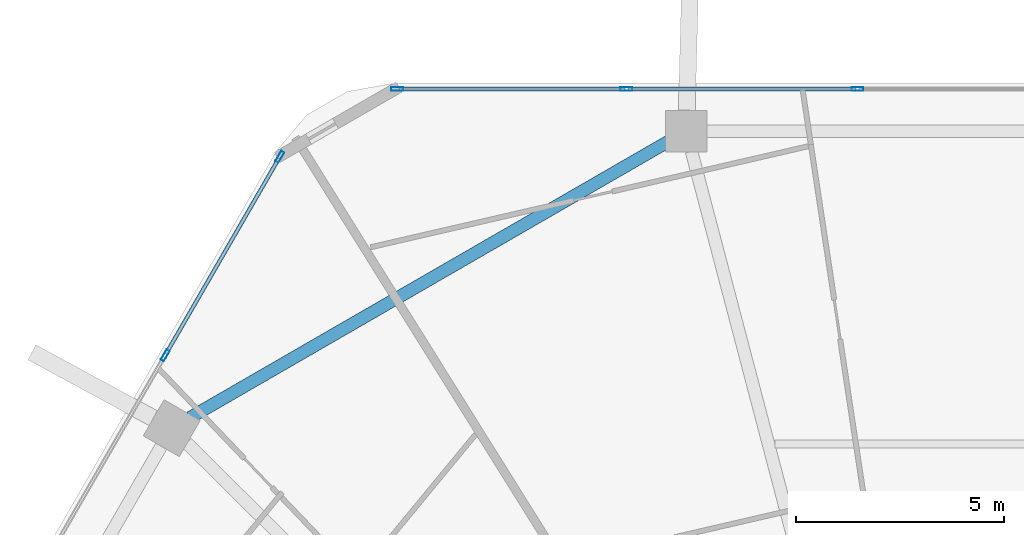
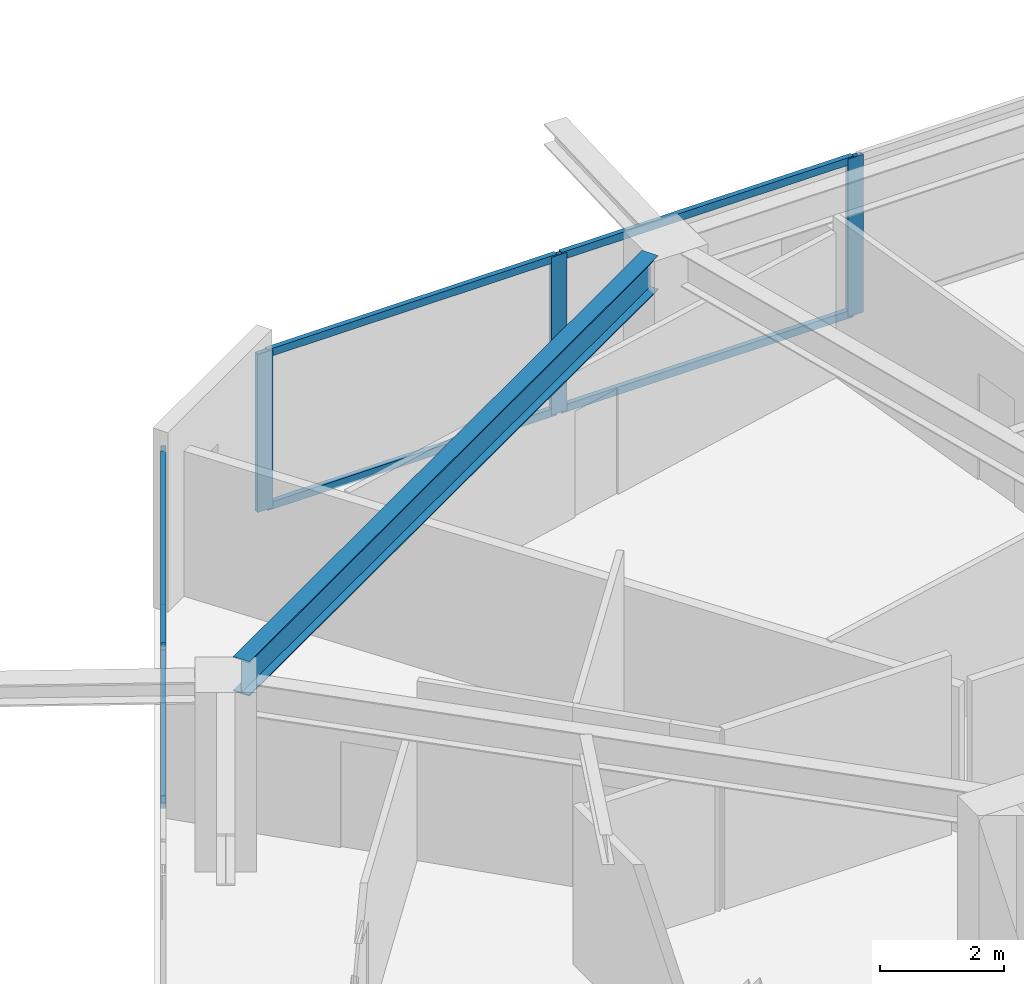
# One storey, part 12 of 25: 11 members, 1 beam, 2 elements without a shape of their own.
"""IFC4 building model written with IfcOpenShell, lengths in metres."""

import ifcopenshell
import ifcopenshell.guid

model = None  # the IFC model being written
_history = None  # IfcOwnerHistory: only IFC2X3 demands one
_inside = {}  # id of a spatial element -> (the spatial element, [elements in it])
_under = {}  # id of a project, library or spatial element -> (it, [spatial elements below it])
_declared = {}  # id of a project -> (the project, [libraries it declares])
_typed = {}  # id of a type object -> (the type object, [elements of that type])
_made_of = {}  # id of a material, layer set ... -> (it, [elements and type objects made of it])


def new_model(schema):
    """Start an empty IFC model of exactly this schema.

    Asked for "IFC4X3", IfcOpenShell would pick the latest addendum, in which some entities
    have other attributes; the version numbers below select the first issue.
    IFC2X3 requires an IfcOwnerHistory on every rooted entity: one is made here for all.
    """
    global model, _history
    if schema == "IFC4X3":
        model = ifcopenshell.file(schema_version=(4, 3, 0, 0))
    else:
        model = ifcopenshell.file(schema=schema)
    _inside.clear()
    _under.clear()
    _declared.clear()
    _typed.clear()
    _made_of.clear()
    _history = None
    if model.schema == "IFC2X3":
        org = make("IfcOrganization", Name="unknown")
        user = make(
            "IfcPersonAndOrganization",
            ThePerson=make("IfcPerson", FamilyName="unknown"),
            TheOrganization=org,
        )
        app = make(
            "IfcApplication",
            ApplicationDeveloper=org,
            Version="unknown",
            ApplicationFullName="unknown",
            ApplicationIdentifier="unknown",
        )
        _history = make(
            "IfcOwnerHistory",
            OwningUser=user,
            OwningApplication=app,
            ChangeAction="ADDED",
            CreationDate=0,
        )
    return model


def make(cls, **values):
    """One entity of the class cls with the attributes given. An attribute that is None is left unset."""
    return model.create_entity(
        cls, **{name: value for name, value in values.items() if value is not None}
    )


def rooted(cls, **values):
    """An entity with a GlobalId (a new one), such as an element, a storey or a relation."""
    return make(cls, GlobalId=ifcopenshell.guid.new(), OwnerHistory=_history, **values)


def si_unit(unit_type, name, prefix=None):
    """IfcSIUnit, for example si_unit("LENGTHUNIT", "METRE", prefix="MILLI")."""
    return make("IfcSIUnit", UnitType=unit_type, Prefix=prefix, Name=name)


def assignment(units):
    """IfcUnitAssignment: the units of a project."""
    return None if units is None else make("IfcUnitAssignment", Units=units)


def point(xyz):
    """IfcCartesianPoint."""
    return None if xyz is None else make("IfcCartesianPoint", Coordinates=xyz)


def direction(xyz):
    """IfcDirection."""
    return None if xyz is None else make("IfcDirection", DirectionRatios=xyz)


def frame(location, z_axis=None, x_axis=None):
    """IfcAxis2Placement3D, a coordinate frame: its origin and axes. An axis left out is left unset."""
    return make(
        "IfcAxis2Placement3D",
        Location=point(location),
        Axis=direction(z_axis),
        RefDirection=direction(x_axis),
    )


def frame_2d(location, x_axis=None):
    """IfcAxis2Placement2D, a coordinate frame in the plane: its origin and x axis."""
    return make(
        "IfcAxis2Placement2D", Location=point(location), RefDirection=direction(x_axis)
    )


def origin():
    """The frame at (0, 0, 0) with its axes left unset."""
    return frame((0.0, 0.0, 0.0))


def origin_2d():
    """The frame at (0, 0) in the plane with its x axis left unset."""
    return frame_2d((0.0, 0.0))


def place(relative_to, where):
    """IfcLocalPlacement: puts the frame where relative to a parent placement (None: the world)."""
    return make(
        "IfcLocalPlacement", PlacementRelTo=relative_to, RelativePlacement=where
    )


def context(
    kind, dimensions, precision=None, world=None, true_north=None, identifier=None
):
    """IfcGeometricRepresentationContext, for example the 3D "Model" context."""
    return make(
        "IfcGeometricRepresentationContext",
        ContextIdentifier=identifier,
        ContextType=kind,
        CoordinateSpaceDimension=dimensions,
        Precision=precision,
        WorldCoordinateSystem=world,
        TrueNorth=true_north,
    )


def subcontext(parent, identifier, kind, view, scale=None):
    """IfcGeometricRepresentationSubContext, for example "Body" below "Model"."""
    return make(
        "IfcGeometricRepresentationSubContext",
        ContextIdentifier=identifier,
        ContextType=kind,
        ParentContext=parent,
        TargetScale=scale,
        TargetView=view,
    )


def project(units=None, contexts=None):
    """IfcProject with its units and contexts."""
    return rooted(
        "IfcProject",
        Name="project",
        RepresentationContexts=contexts,
        UnitsInContext=assignment(units),
    )


def spatial(cls, under=None, at=None, **own):
    """A site, building, storey or space (cls), placed at a placement, below another one or the project."""
    s = rooted(cls, ObjectPlacement=at, **own)
    if under is not None:
        _under.setdefault(under.id(), (under, []))[1].append(s)
    return s


def profile(cls, at=None, kind="AREA", **sizes):
    """A parametric profile (cls). Its sizes go by their IFC names, for example OverallWidth=200.0."""
    return make(cls, ProfileType=kind, Position=at, **sizes)


def hollow_rectangle(**sizes):
    """IfcRectangleHollowProfileDef."""
    return profile("IfcRectangleHollowProfileDef", **sizes)


def i_section(**sizes):
    """IfcIShapeProfileDef."""
    return profile("IfcIShapeProfileDef", **sizes)


def extrude(swept, where, along, depth):
    """IfcExtrudedAreaSolid: the profile swept, set in the frame where, extruded along a direction by depth."""
    return make(
        "IfcExtrudedAreaSolid",
        SweptArea=swept,
        Position=where,
        ExtrudedDirection=direction(along),
        Depth=depth,
    )


def shape(context_of_items, identifier, shape_type, items):
    """IfcShapeRepresentation: the items that make up one representation, for example the "Body"."""
    return make(
        "IfcShapeRepresentation",
        ContextOfItems=context_of_items,
        RepresentationIdentifier=identifier,
        RepresentationType=shape_type,
        Items=items,
    )


def material(Name=None, Category=None):
    """IfcMaterial."""
    return make("IfcMaterial", Name=Name, Category=Category)


def material_profile(
    of_material, cross_section, Name=None, Category=None, Priority=None
):
    """IfcMaterialProfile: a cross section and its material."""
    return make(
        "IfcMaterialProfile",
        Name=Name,
        Material=of_material,
        Profile=cross_section,
        Priority=Priority,
        Category=Category,
    )


def profile_set(profiles, Name=None, composite=None):
    """IfcMaterialProfileSet."""
    return make(
        "IfcMaterialProfileSet",
        Name=Name,
        MaterialProfiles=profiles,
        CompositeProfile=composite,
    )


def made_of(thing, what):
    """Note that an element or type object is made of a material, layer set ...; save() writes the relation."""
    if what is not None:
        _made_of.setdefault(what.id(), (what, []))[1].append(thing)
    return thing


def type_object(cls, material=None, **own):
    """A type object (cls), such as IfcWallType, which elements share."""
    return made_of(rooted(cls, **own), material)


def element(
    cls,
    number,
    at=None,
    inside=None,
    cuts=None,
    type_object=None,
    material=None,
    context=None,
    identifier="Body",
    shape_type=None,
    held_by="IfcProductDefinitionShape",
    body=None,
    shapes=None,
    **own,
):
    """One element of the class cls, such as IfcWall. Its Tag is "e" and its number.

    at: its placement. inside: the storey or other place that contains it. cuts: it is an
    opening in that element (IfcRelVoidsElement). A single representation is given by context,
    identifier, shape_type and body (its items); several are given by shapes. held_by: the class
    of the entity that holds the representations. save() writes the other relations.
    """
    e = rooted(cls, Tag="e%d" % number, ObjectPlacement=at, **own)
    if body is not None:
        shapes = [shape(context, identifier, shape_type, body)]
    if shapes is not None:
        e.Representation = make(held_by, Representations=shapes)
    if inside is not None:
        _inside.setdefault(inside.id(), (inside, []))[1].append(e)
    if cuts is not None:
        rooted(
            "IfcRelVoidsElement", RelatingBuildingElement=cuts, RelatedOpeningElement=e
        )
    if type_object is not None:
        _typed.setdefault(type_object.id(), (type_object, []))[1].append(e)
    return made_of(e, material)


def aggregate(whole, parts):
    """IfcRelAggregates: a whole, such as a stair, and the parts it consists of."""
    return rooted("IfcRelAggregates", RelatingObject=whole, RelatedObjects=parts)


def save(model, path):
    """Write the relations noted so far, then the file.

    IfcRelAggregates (storeys below a building ...), IfcRelContainedInSpatialStructure (elements
    in a storey), IfcRelDefinesByType, IfcRelAssociatesMaterial and IfcRelDeclares: one each for
    every whole, place, type object, material and project.
    """
    for whole, parts in _under.values():
        aggregate(whole, parts)
    for where, things in _inside.values():
        rooted(
            "IfcRelContainedInSpatialStructure",
            RelatedElements=things,
            RelatingStructure=where,
        )
    for kind, things in _typed.values():
        rooted("IfcRelDefinesByType", RelatedObjects=things, RelatingType=kind)
    for what, things in _made_of.values():
        rooted("IfcRelAssociatesMaterial", RelatedObjects=things, RelatingMaterial=what)
    for by, libraries in _declared.values():
        rooted("IfcRelDeclares", RelatingContext=by, RelatedDefinitions=libraries)
    model.write(path)


model = new_model("IFC4")

# Units and contexts
model_context = context("Model", 3, precision=1e-05, world=origin(), true_north=direction((0.0, 1.0)))
body_context = subcontext(model_context, "Body", "Model", "MODEL_VIEW")
ifc_project = project(units=[si_unit("LENGTHUNIT", "METRE"), si_unit("AREAUNIT", "SQUARE_METRE"), si_unit("VOLUMEUNIT", "CUBIC_METRE"), si_unit("PLANEANGLEUNIT", "RADIAN"), si_unit("MASSUNIT", "GRAM", prefix="KILO")], contexts=[model_context])

# Site, building, storey
site_placement = place(None, origin())
site = spatial("IfcSite", under=ifc_project, at=site_placement, CompositionType="ELEMENT")
building_placement = place(site_placement, origin())
building = spatial("IfcBuilding", under=site, at=building_placement, Name="Zuhravey Tower", CompositionType="ELEMENT")
storey_placement = place(building_placement, frame((0.0, 0.0, 180.800048828125)))
storey = spatial("IfcBuildingStorey", under=building, at=storey_placement, Name="L45", CompositionType="ELEMENT", Elevation=180.800048828125)

# Curtain wall, members
ifc_material_1 = material(Name="Thermally broken anodised aluminium", Category="aluminium")
curtain_wall_type = type_object("IfcCurtainWallType", Name="Zone 1-2 Residential Curtain Wall CW3", PredefinedType="NOTDEFINED", material=ifc_material_1)
curtain_wall_1_placement = place(storey_placement, origin())
curtain_wall_1 = element("IfcCurtainWall", 1, at=curtain_wall_1_placement, inside=storey, type_object=curtain_wall_type, Name="L45 CW3 CW-L45-F3-1", PredefinedType="NOTDEFINED")
ifc_material_2 = material(Name="Anodised aluminium", Category="aluminium")
ifc_material_profile_1 = material_profile(ifc_material_2, hollow_rectangle(XDim=0.090087890625, YDim=0.284912109375, WallThickness=0.0048828125, at=origin_2d()), Name="ALU-RHS-90x285x5")
ifc_profile_set_1 = profile_set([ifc_material_profile_1], Name="Anodised aluminium")
member_type_1 = type_object("IfcMemberType", Name="Curtain-Wall Mullion 90x180", PredefinedType="MULLION", material=ifc_profile_set_1)
member_1_placement = place(storey_placement, frame((16.6171875, 52.7939453125, 0.0), z_axis=(0.0, 0.0, 1.0), x_axis=(-0.866025138215, 0.500000459979, 0.0)))
member_1 = element("IfcMember", 2, at=member_1_placement, type_object=member_type_1, Name="CW3 mullion 5", PredefinedType="MULLION", context=body_context, shape_type="SweptSolid", body=[
    extrude(hollow_rectangle(XDim=0.090087890625, YDim=0.284912109375, WallThickness=0.0048828125, at=origin_2d()), origin(), (0.0, 0.0, 1.0), 3.1220703125),
])
member_2_placement = place(storey_placement, frame((19.36669921875, 57.556640625, 0.0), z_axis=(0.0, 0.0, 1.0), x_axis=(-0.866025138215, 0.500000459979, 0.0)))
member_2 = element("IfcMember", 3, at=member_2_placement, type_object=member_type_1, Name="CW3 mullion 6", PredefinedType="MULLION", context=body_context, shape_type="SweptSolid", body=[
    extrude(hollow_rectangle(XDim=0.090087890625, YDim=0.284912109375, WallThickness=0.0048828125, at=origin_2d()), origin(), (0.0, 0.0, 1.0), 3.1220703125),
])

curtain_wall_2_placement = place(storey_placement, origin())
curtain_wall_2 = element("IfcCurtainWall", 4, at=curtain_wall_2_placement, inside=storey, type_object=curtain_wall_type, Name="L45 CW3 CW-L45-F2-1", PredefinedType="NOTDEFINED")
member_3_placement = place(storey_placement, frame((22.183837890625, 59.18310546875, 0.0), z_axis=(0.0, 0.0, 1.0), x_axis=(0.0, 1.0, 0.0)))
member_3 = element("IfcMember", 5, at=member_3_placement, type_object=member_type_1, Name="CW3 mullion 1", PredefinedType="MULLION", context=body_context, shape_type="SweptSolid", body=[
    extrude(hollow_rectangle(XDim=0.090087890625, YDim=0.284912109375, WallThickness=0.0048828125, at=origin_2d()), origin(), (0.0, 0.0, 1.0), 3.1220703125),
])
member_4_placement = place(storey_placement, frame((27.683349609375, 59.18310546875, 0.0), z_axis=(0.0, 0.0, 1.0), x_axis=(0.0, 1.0, 0.0)))
member_4 = element("IfcMember", 6, at=member_4_placement, type_object=member_type_1, Name="CW3 mullion 2", PredefinedType="MULLION", context=body_context, shape_type="SweptSolid", body=[
    extrude(hollow_rectangle(XDim=0.090087890625, YDim=0.284912109375, WallThickness=0.0048828125, at=origin_2d()), origin(), (0.0, 0.0, 1.0), 3.1220703125),
])
member_5_placement = place(storey_placement, frame((33.227783203125, 59.18310546875, 0.0), z_axis=(0.0, 0.0, 1.0), x_axis=(0.0, 1.0, 0.0)))
member_5 = element("IfcMember", 7, at=member_5_placement, type_object=member_type_1, Name="CW3 mullion 3", PredefinedType="MULLION", context=body_context, shape_type="SweptSolid", body=[
    extrude(hollow_rectangle(XDim=0.090087890625, YDim=0.284912109375, WallThickness=0.0048828125, at=origin_2d()), origin(), (0.0, 0.0, 1.0), 3.1220703125),
])

# Member
ifc_material_profile_2 = material_profile(ifc_material_2, hollow_rectangle(XDim=0.090087890625, YDim=0.14990234375, WallThickness=0.0048828125, at=origin_2d()), Name="ALU-RHS-90x150x5")
ifc_profile_set_2 = profile_set([ifc_material_profile_2], Name="Anodised aluminium")
member_type_2 = type_object("IfcMemberType", Name="Curtain-Wall Transom 90x150", PredefinedType="USERDEFINED", material=ifc_profile_set_2)
member_6_placement = place(storey_placement, frame((16.6396484375, 52.8330078125, 0.044921875), z_axis=(0.499993332629, 0.866029253159, 0.0), x_axis=(-0.866029253159, 0.499993332629, 0.0)))
member_6 = element("IfcMember", 8, at=member_6_placement, type_object=member_type_2, Name="CW3 transom 5.1", ObjectType="TRANSOM", PredefinedType="USERDEFINED", context=body_context, shape_type="SweptSolid", body=[
    extrude(hollow_rectangle(XDim=0.090087890625, YDim=0.14990234375, WallThickness=0.0048828125, at=origin_2d()), origin(), (0.0, 0.0, 1.0), 5.4091796875),
])

member_7_placement = place(storey_placement, frame((16.6396484375, 52.8330078125, 3.076904296875), z_axis=(0.499993332629, 0.866029253159, 0.0), x_axis=(-0.866029253159, 0.499993332629, 0.0)))
member_7 = element("IfcMember", 9, at=member_7_placement, type_object=member_type_2, Name="CW3 transom 5.2", ObjectType="TRANSOM", PredefinedType="USERDEFINED", context=body_context, shape_type="SweptSolid", body=[
    extrude(hollow_rectangle(XDim=0.090087890625, YDim=0.14990234375, WallThickness=0.0048828125, at=origin_2d()), origin(), (0.0, 0.0, 1.0), 5.4091796875),
])

aggregate(curtain_wall_1, [member_1, member_2, member_6, member_7])

member_8_placement = place(storey_placement, frame((22.22900390625, 59.18310546875, 0.044921875), z_axis=(1.0, 0.0, 0.0), x_axis=(0.0, 1.0, 0.0)))
member_8 = element("IfcMember", 10, at=member_8_placement, type_object=member_type_2, Name="CW3 transom 1.1", ObjectType="TRANSOM", PredefinedType="USERDEFINED", context=body_context, shape_type="SweptSolid", body=[
    extrude(hollow_rectangle(XDim=0.090087890625, YDim=0.14990234375, WallThickness=0.0048828125, at=origin_2d()), origin(), (0.0, 0.0, 1.0), 5.409423828125),
])

member_9_placement = place(storey_placement, frame((22.22900390625, 59.18310546875, 3.076904296875), z_axis=(1.0, 0.0, 0.0), x_axis=(0.0, 1.0, 0.0)))
member_9 = element("IfcMember", 11, at=member_9_placement, type_object=member_type_2, Name="CW3 transom 1.2", ObjectType="TRANSOM", PredefinedType="USERDEFINED", context=body_context, shape_type="SweptSolid", body=[
    extrude(hollow_rectangle(XDim=0.090087890625, YDim=0.14990234375, WallThickness=0.0048828125, at=origin_2d()), origin(), (0.0, 0.0, 1.0), 5.409423828125),
])

member_10_placement = place(storey_placement, frame((27.728271484375, 59.18310546875, 0.044921875), z_axis=(1.0, 0.0, 0.0), x_axis=(0.0, 1.0, 0.0)))
member_10 = element("IfcMember", 12, at=member_10_placement, type_object=member_type_2, Name="CW3 transom 2.1", ObjectType="TRANSOM", PredefinedType="USERDEFINED", context=body_context, shape_type="SweptSolid", body=[
    extrude(hollow_rectangle(XDim=0.090087890625, YDim=0.14990234375, WallThickness=0.0048828125, at=origin_2d()), origin(), (0.0, 0.0, 1.0), 5.45458984375),
])

member_11_placement = place(storey_placement, frame((27.728271484375, 59.18310546875, 3.076904296875), z_axis=(1.0, 0.0, 0.0), x_axis=(0.0, 1.0, 0.0)))
member_11 = element("IfcMember", 13, at=member_11_placement, type_object=member_type_2, Name="CW3 transom 2.2", ObjectType="TRANSOM", PredefinedType="USERDEFINED", context=body_context, shape_type="SweptSolid", body=[
    extrude(hollow_rectangle(XDim=0.090087890625, YDim=0.14990234375, WallThickness=0.0048828125, at=origin_2d()), origin(), (0.0, 0.0, 1.0), 5.45458984375),
])

aggregate(curtain_wall_2, [member_3, member_4, member_5, member_8, member_9, member_10, member_11])

# Beam
ifc_material_3 = material(Name="Steel SM355", Category="steel")
ifc_material_profile_3 = material_profile(ifc_material_3, i_section(OverallWidth=0.300048828125, OverallDepth=0.679931640625, WebThickness=0.012939453125, FlangeThickness=0.02197265625, at=origin_2d()), Name="H-680x300x13x22")
ifc_profile_set_3 = profile_set([ifc_material_profile_3], Name="Steel SM355")
beam_type = type_object("IfcBeamType", Name="Perimeter Ring Beam H680x300", PredefinedType="BEAM", material=ifc_profile_set_3)
beam_placement = place(storey_placement, frame((28.682373046875, 57.921630859375, 3.2099609375), z_axis=(-0.866022923061, -0.500004296715, 0.0), x_axis=(0.500004296715, -0.866022923061, 0.0)))
element("IfcBeam", 14, at=beam_placement, inside=storey, type_object=beam_type, Name="L45 PB2 BM-L45-PB-04", PredefinedType="BEAM", context=body_context, shape_type="SweptSolid", body=[
    extrude(i_section(OverallWidth=0.300048828125, OverallDepth=0.679931640625, WebThickness=0.012939453125, FlangeThickness=0.02197265625, at=origin_2d()), origin(), (0.0, 0.0, 1.0), 13.2470703125),
])

save(model, "model.ifc")
